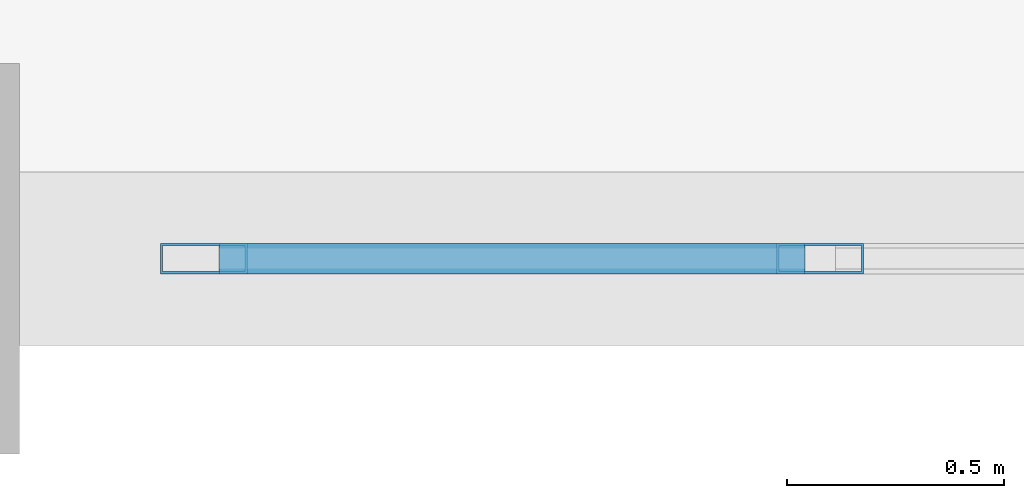
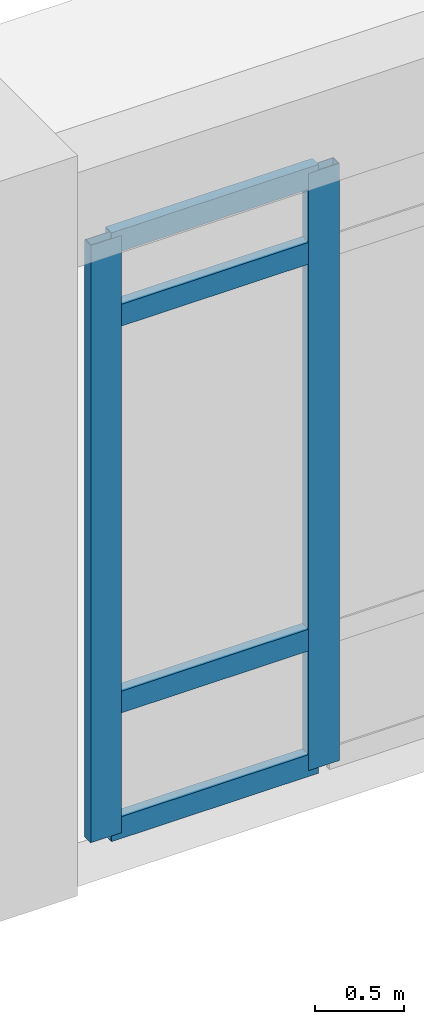
# One storey, part 14 of 117: 6 members, 1 element without a shape of its own.
"""IFC4 building model written with IfcOpenShell, lengths in metres."""

from ifc_helpers import new_model, si_unit, direction, frame, origin, origin_2d, place, context, subcontext, project, spatial, hollow_rectangle, extrude, material, layer, layer_set, material_profile, profile_set, type_object, element, aggregate, save


model = new_model("IFC4")

# Units and contexts
model_context = context("Model", 3, precision=1e-05, world=origin(), true_north=direction((0.0, 1.0)))
body_context = subcontext(model_context, "Body", "Model", "MODEL_VIEW")
ifc_project = project(units=[si_unit("LENGTHUNIT", "METRE"), si_unit("AREAUNIT", "SQUARE_METRE"), si_unit("VOLUMEUNIT", "CUBIC_METRE"), si_unit("PLANEANGLEUNIT", "RADIAN"), si_unit("MASSUNIT", "GRAM", prefix="KILO")], contexts=[model_context])

# Site, building, storey
site_placement = place(None, origin())
site = spatial("IfcSite", under=ifc_project, at=site_placement, CompositionType="ELEMENT")
building_placement = place(site_placement, origin())
building = spatial("IfcBuilding", under=site, at=building_placement, Name="Carrowvane Square Congress Hotel", CompositionType="ELEMENT")
storey_placement = place(building_placement, frame((0.0, 0.0, 5.39990234375)))
storey = spatial("IfcBuildingStorey", under=building, at=storey_placement, Name="L01", CompositionType="ELEMENT", Elevation=5.39990234375)

# Curtain wall, members
ifc_material_1 = material(Name="Anodised aluminium", Category="aluminium")
ifc_layer = layer(ifc_material_1, 0.174072265625)
ifc_layer_set = layer_set([ifc_layer], Name="Anodised aluminium")
curtain_wall_type = type_object("IfcCurtainWallType", Name="CW-SYS-2", PredefinedType="NOTDEFINED", material=ifc_layer_set)
curtain_wall_placement = place(storey_placement, origin())
curtain_wall = element("IfcCurtainWall", 1, at=curtain_wall_placement, inside=storey, type_object=curtain_wall_type, Name="L01 unitised curtain wall 129", PredefinedType="NOTDEFINED")
ifc_material_2 = material(Name="Anodised aluminium", Category="aluminium")
ifc_material_profile_1 = material_profile(ifc_material_2, hollow_rectangle(XDim=0.070068359375, YDim=0.199951171875, WallThickness=0.0048828125, at=origin_2d()), Name="CW-ML 70x200x5")
ifc_profile_set_1 = profile_set([ifc_material_profile_1], Name="Anodised aluminium")
member_type_1 = type_object("IfcMemberType", Name="CW-MUL-2", PredefinedType="MULLION", material=ifc_profile_set_1)
member_1_placement = place(storey_placement, frame((42.544921875, 5.39990234375, 0.0), z_axis=(0.0, 0.0, 1.0), x_axis=(0.0, -1.0, 0.0)))
member_1 = element("IfcMember", 2, at=member_1_placement, type_object=member_type_1, Name="CW-2 mullion 4", PredefinedType="MULLION", context=body_context, shape_type="SweptSolid", body=[
    extrude(hollow_rectangle(XDim=0.070068359375, YDim=0.199951171875, WallThickness=0.0048828125, at=origin_2d()), origin(), (0.0, 0.0, 1.0), 4.114990234375),
])
member_2_placement = place(storey_placement, frame((41.125, 5.39990234375, 0.0), z_axis=(0.0, 0.0, 1.0), x_axis=(0.0, -1.0, 0.0)))
member_2 = element("IfcMember", 3, at=member_2_placement, type_object=member_type_1, Name="CW-2 mullion 5", PredefinedType="MULLION", context=body_context, shape_type="SweptSolid", body=[
    extrude(hollow_rectangle(XDim=0.070068359375, YDim=0.199951171875, WallThickness=0.0048828125, at=origin_2d()), origin(), (0.0, 0.0, 1.0), 4.114990234375),
])
ifc_material_3 = material(Name="Anodised aluminium", Category="aluminium")
ifc_material_profile_2 = material_profile(ifc_material_3, hollow_rectangle(XDim=0.070068359375, YDim=0.14990234375, WallThickness=0.0048828125, at=origin_2d()), Name="CW-TR 70x150x5")
ifc_profile_set_2 = profile_set([ifc_material_profile_2], Name="Anodised aluminium")
member_type_2 = type_object("IfcMemberType", Name="CW-TRN-2", PredefinedType="USERDEFINED", material=ifc_profile_set_2)
member_3_placement = place(storey_placement, frame((42.510009765625, 5.39990234375, 0.03515625), z_axis=(-1.0, 0.0, 0.0), x_axis=(0.0, -1.0, 0.0)))
member_3 = element("IfcMember", 4, at=member_3_placement, type_object=member_type_2, Name="CW-2 transom 4.1", ObjectType="TRANSOM", PredefinedType="USERDEFINED", context=body_context, shape_type="SweptSolid", body=[
    extrude(hollow_rectangle(XDim=0.070068359375, YDim=0.14990234375, WallThickness=0.0048828125, at=origin_2d()), origin(), (0.0, 0.0, 1.0), 1.35009765625),
])
member_4_placement = place(storey_placement, frame((42.510009765625, 5.39990234375, 0.900146484375), z_axis=(-1.0, 0.0, 0.0), x_axis=(0.0, -1.0, 0.0)))
member_4 = element("IfcMember", 5, at=member_4_placement, type_object=member_type_2, Name="CW-2 transom 4.2", ObjectType="TRANSOM", PredefinedType="USERDEFINED", context=body_context, shape_type="SweptSolid", body=[
    extrude(hollow_rectangle(XDim=0.070068359375, YDim=0.14990234375, WallThickness=0.0048828125, at=origin_2d()), origin(), (0.0, 0.0, 1.0), 1.35009765625),
])
member_5_placement = place(storey_placement, frame((42.510009765625, 5.39990234375, 3.565185546875), z_axis=(-1.0, 0.0, 0.0), x_axis=(0.0, -1.0, 0.0)))
member_5 = element("IfcMember", 6, at=member_5_placement, type_object=member_type_2, Name="CW-2 transom 4.3", ObjectType="TRANSOM", PredefinedType="USERDEFINED", context=body_context, shape_type="SweptSolid", body=[
    extrude(hollow_rectangle(XDim=0.070068359375, YDim=0.14990234375, WallThickness=0.0048828125, at=origin_2d()), origin(), (0.0, 0.0, 1.0), 1.35009765625),
])
member_6_placement = place(storey_placement, frame((42.510009765625, 5.39990234375, 4.080078125), z_axis=(-1.0, 0.0, 0.0), x_axis=(0.0, -1.0, 0.0)))
member_6 = element("IfcMember", 7, at=member_6_placement, type_object=member_type_2, Name="CW-2 transom 4.4", ObjectType="TRANSOM", PredefinedType="USERDEFINED", context=body_context, shape_type="SweptSolid", body=[
    extrude(hollow_rectangle(XDim=0.070068359375, YDim=0.14990234375, WallThickness=0.0048828125, at=origin_2d()), origin(), (0.0, 0.0, 1.0), 1.35009765625),
])
aggregate(curtain_wall, [member_1, member_2, member_3, member_4, member_5, member_6])

save(model, "model.ifc")
